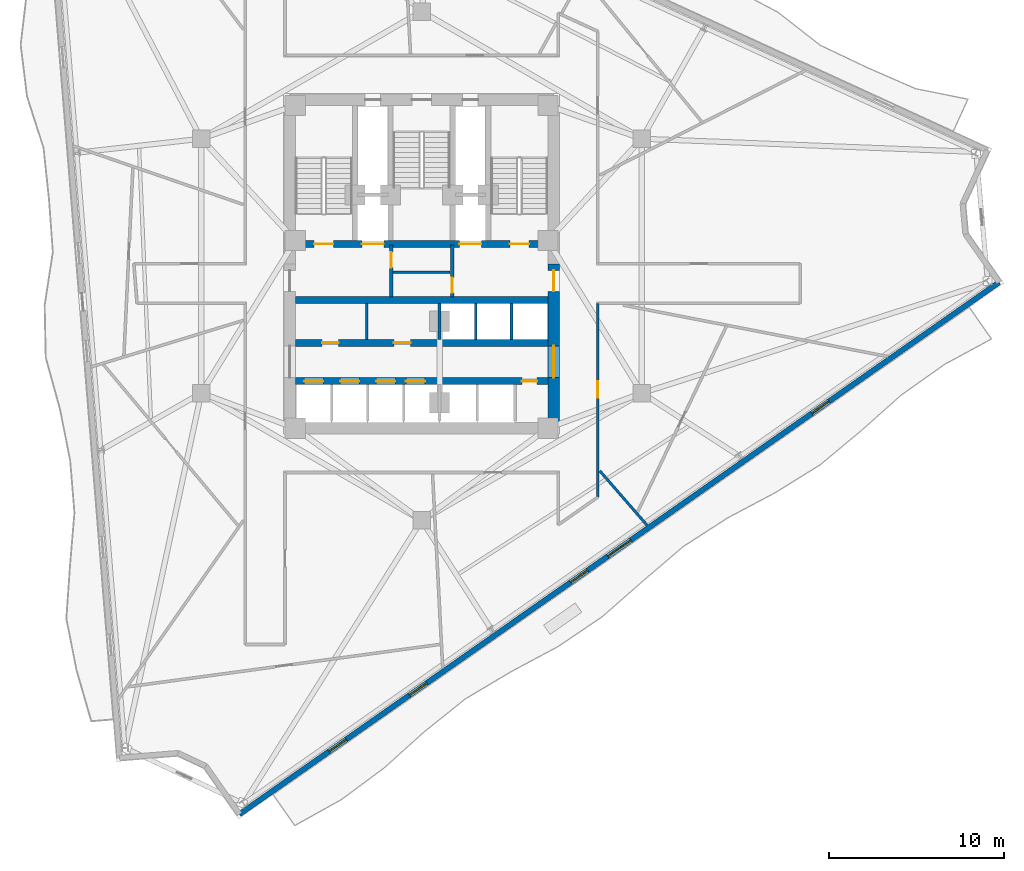
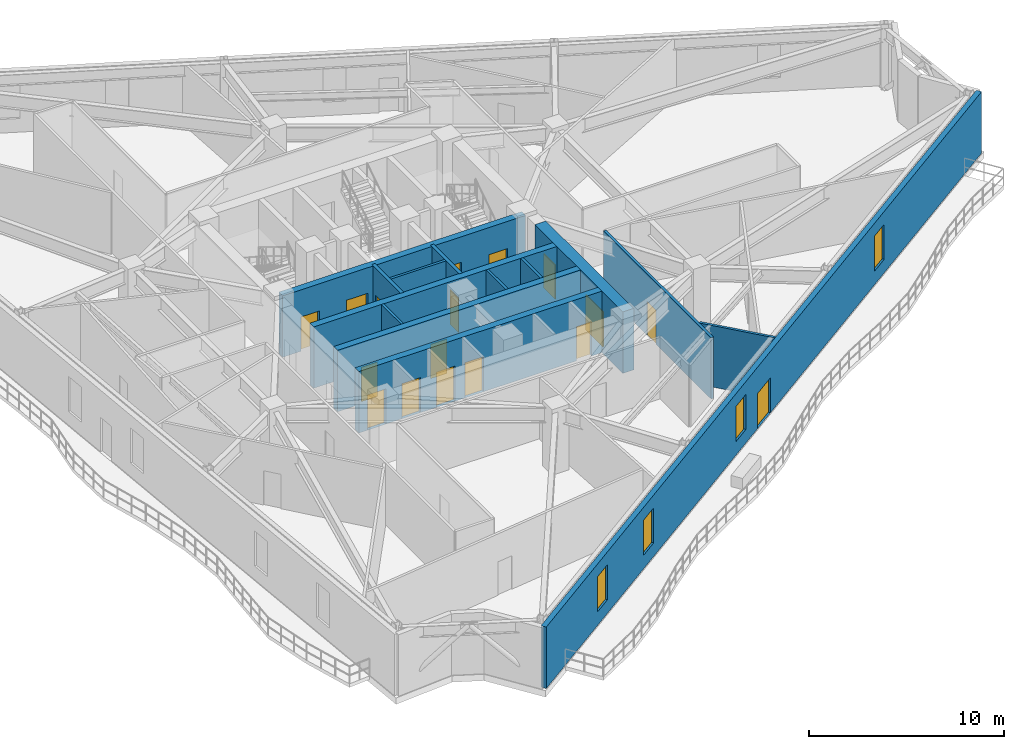
# One storey, part 8 of 14: 17 doors, 15 walls, 4 windows, 21 openings.
"""IFC4 building model written with IfcOpenShell, lengths in metres."""

import ifcopenshell
import ifcopenshell.guid

model = None  # the IFC model being written
_history = None  # IfcOwnerHistory: only IFC2X3 demands one
_inside = {}  # id of a spatial element -> (the spatial element, [elements in it])
_under = {}  # id of a project, library or spatial element -> (it, [spatial elements below it])
_declared = {}  # id of a project -> (the project, [libraries it declares])
_typed = {}  # id of a type object -> (the type object, [elements of that type])
_made_of = {}  # id of a material, layer set ... -> (it, [elements and type objects made of it])


def new_model(schema):
    """Start an empty IFC model of exactly this schema.

    Asked for "IFC4X3", IfcOpenShell would pick the latest addendum, in which some entities
    have other attributes; the version numbers below select the first issue.
    IFC2X3 requires an IfcOwnerHistory on every rooted entity: one is made here for all.
    """
    global model, _history
    if schema == "IFC4X3":
        model = ifcopenshell.file(schema_version=(4, 3, 0, 0))
    else:
        model = ifcopenshell.file(schema=schema)
    _inside.clear()
    _under.clear()
    _declared.clear()
    _typed.clear()
    _made_of.clear()
    _history = None
    if model.schema == "IFC2X3":
        org = make("IfcOrganization", Name="unknown")
        user = make(
            "IfcPersonAndOrganization",
            ThePerson=make("IfcPerson", FamilyName="unknown"),
            TheOrganization=org,
        )
        app = make(
            "IfcApplication",
            ApplicationDeveloper=org,
            Version="unknown",
            ApplicationFullName="unknown",
            ApplicationIdentifier="unknown",
        )
        _history = make(
            "IfcOwnerHistory",
            OwningUser=user,
            OwningApplication=app,
            ChangeAction="ADDED",
            CreationDate=0,
        )
    return model


def make(cls, **values):
    """One entity of the class cls with the attributes given. An attribute that is None is left unset."""
    return model.create_entity(
        cls, **{name: value for name, value in values.items() if value is not None}
    )


def rooted(cls, **values):
    """An entity with a GlobalId (a new one), such as an element, a storey or a relation."""
    return make(cls, GlobalId=ifcopenshell.guid.new(), OwnerHistory=_history, **values)


def si_unit(unit_type, name, prefix=None):
    """IfcSIUnit, for example si_unit("LENGTHUNIT", "METRE", prefix="MILLI")."""
    return make("IfcSIUnit", UnitType=unit_type, Prefix=prefix, Name=name)


def assignment(units):
    """IfcUnitAssignment: the units of a project."""
    return None if units is None else make("IfcUnitAssignment", Units=units)


def point(xyz):
    """IfcCartesianPoint."""
    return None if xyz is None else make("IfcCartesianPoint", Coordinates=xyz)


def direction(xyz):
    """IfcDirection."""
    return None if xyz is None else make("IfcDirection", DirectionRatios=xyz)


def frame(location, z_axis=None, x_axis=None):
    """IfcAxis2Placement3D, a coordinate frame: its origin and axes. An axis left out is left unset."""
    return make(
        "IfcAxis2Placement3D",
        Location=point(location),
        Axis=direction(z_axis),
        RefDirection=direction(x_axis),
    )


def frame_2d(location, x_axis=None):
    """IfcAxis2Placement2D, a coordinate frame in the plane: its origin and x axis."""
    return make(
        "IfcAxis2Placement2D", Location=point(location), RefDirection=direction(x_axis)
    )


def origin():
    """The frame at (0, 0, 0) with its axes left unset."""
    return frame((0.0, 0.0, 0.0))


def place(relative_to, where):
    """IfcLocalPlacement: puts the frame where relative to a parent placement (None: the world)."""
    return make(
        "IfcLocalPlacement", PlacementRelTo=relative_to, RelativePlacement=where
    )


def context(
    kind, dimensions, precision=None, world=None, true_north=None, identifier=None
):
    """IfcGeometricRepresentationContext, for example the 3D "Model" context."""
    return make(
        "IfcGeometricRepresentationContext",
        ContextIdentifier=identifier,
        ContextType=kind,
        CoordinateSpaceDimension=dimensions,
        Precision=precision,
        WorldCoordinateSystem=world,
        TrueNorth=true_north,
    )


def subcontext(parent, identifier, kind, view, scale=None):
    """IfcGeometricRepresentationSubContext, for example "Body" below "Model"."""
    return make(
        "IfcGeometricRepresentationSubContext",
        ContextIdentifier=identifier,
        ContextType=kind,
        ParentContext=parent,
        TargetScale=scale,
        TargetView=view,
    )


def project(units=None, contexts=None):
    """IfcProject with its units and contexts."""
    return rooted(
        "IfcProject",
        Name="project",
        RepresentationContexts=contexts,
        UnitsInContext=assignment(units),
    )


def spatial(cls, under=None, at=None, **own):
    """A site, building, storey or space (cls), placed at a placement, below another one or the project."""
    s = rooted(cls, ObjectPlacement=at, **own)
    if under is not None:
        _under.setdefault(under.id(), (under, []))[1].append(s)
    return s


def profile(cls, at=None, kind="AREA", **sizes):
    """A parametric profile (cls). Its sizes go by their IFC names, for example OverallWidth=200.0."""
    return make(cls, ProfileType=kind, Position=at, **sizes)


def rectangle(**sizes):
    """IfcRectangleProfileDef."""
    return profile("IfcRectangleProfileDef", **sizes)


def extrude(swept, where, along, depth):
    """IfcExtrudedAreaSolid: the profile swept, set in the frame where, extruded along a direction by depth."""
    return make(
        "IfcExtrudedAreaSolid",
        SweptArea=swept,
        Position=where,
        ExtrudedDirection=direction(along),
        Depth=depth,
    )


def shape(context_of_items, identifier, shape_type, items):
    """IfcShapeRepresentation: the items that make up one representation, for example the "Body"."""
    return make(
        "IfcShapeRepresentation",
        ContextOfItems=context_of_items,
        RepresentationIdentifier=identifier,
        RepresentationType=shape_type,
        Items=items,
    )


def material(Name=None, Category=None):
    """IfcMaterial."""
    return make("IfcMaterial", Name=Name, Category=Category)


def layer(
    of_material, thickness, ventilated=None, Name=None, Category=None, Priority=None
):
    """IfcMaterialLayer: one layer of a wall or slab, of a material (None: an air gap)."""
    return make(
        "IfcMaterialLayer",
        Material=of_material,
        LayerThickness=thickness,
        IsVentilated=ventilated,
        Name=Name,
        Category=Category,
        Priority=Priority,
    )


def layer_set(layers, Name=None):
    """IfcMaterialLayerSet."""
    return make("IfcMaterialLayerSet", MaterialLayers=layers, LayerSetName=Name)


def made_of(thing, what):
    """Note that an element or type object is made of a material, layer set ...; save() writes the relation."""
    if what is not None:
        _made_of.setdefault(what.id(), (what, []))[1].append(thing)
    return thing


def type_object(cls, material=None, **own):
    """A type object (cls), such as IfcWallType, which elements share."""
    return made_of(rooted(cls, **own), material)


def element(
    cls,
    number,
    at=None,
    inside=None,
    cuts=None,
    type_object=None,
    material=None,
    context=None,
    identifier="Body",
    shape_type=None,
    held_by="IfcProductDefinitionShape",
    body=None,
    shapes=None,
    **own,
):
    """One element of the class cls, such as IfcWall. Its Tag is "e" and its number.

    at: its placement. inside: the storey or other place that contains it. cuts: it is an
    opening in that element (IfcRelVoidsElement). A single representation is given by context,
    identifier, shape_type and body (its items); several are given by shapes. held_by: the class
    of the entity that holds the representations. save() writes the other relations.
    """
    e = rooted(cls, Tag="e%d" % number, ObjectPlacement=at, **own)
    if body is not None:
        shapes = [shape(context, identifier, shape_type, body)]
    if shapes is not None:
        e.Representation = make(held_by, Representations=shapes)
    if inside is not None:
        _inside.setdefault(inside.id(), (inside, []))[1].append(e)
    if cuts is not None:
        rooted(
            "IfcRelVoidsElement", RelatingBuildingElement=cuts, RelatedOpeningElement=e
        )
    if type_object is not None:
        _typed.setdefault(type_object.id(), (type_object, []))[1].append(e)
    return made_of(e, material)


def fill(opening, filler):
    """IfcRelFillsElement: the door or window that sits in an opening."""
    return rooted(
        "IfcRelFillsElement",
        RelatingOpeningElement=opening,
        RelatedBuildingElement=filler,
    )


def aggregate(whole, parts):
    """IfcRelAggregates: a whole, such as a stair, and the parts it consists of."""
    return rooted("IfcRelAggregates", RelatingObject=whole, RelatedObjects=parts)


def save(model, path):
    """Write the relations noted so far, then the file.

    IfcRelAggregates (storeys below a building ...), IfcRelContainedInSpatialStructure (elements
    in a storey), IfcRelDefinesByType, IfcRelAssociatesMaterial and IfcRelDeclares: one each for
    every whole, place, type object, material and project.
    """
    for whole, parts in _under.values():
        aggregate(whole, parts)
    for where, things in _inside.values():
        rooted(
            "IfcRelContainedInSpatialStructure",
            RelatedElements=things,
            RelatingStructure=where,
        )
    for kind, things in _typed.values():
        rooted("IfcRelDefinesByType", RelatedObjects=things, RelatingType=kind)
    for what, things in _made_of.values():
        rooted("IfcRelAssociatesMaterial", RelatedObjects=things, RelatingMaterial=what)
    for by, libraries in _declared.values():
        rooted("IfcRelDeclares", RelatingContext=by, RelatedDefinitions=libraries)
    model.write(path)


model = new_model("IFC4")

# Units and contexts
model_context = context("Model", 3, precision=1e-05, world=origin(), true_north=direction((0.0, 1.0)))
body_context = subcontext(model_context, "Body", "Model", "MODEL_VIEW")
ifc_project = project(units=[si_unit("LENGTHUNIT", "METRE"), si_unit("AREAUNIT", "SQUARE_METRE"), si_unit("VOLUMEUNIT", "CUBIC_METRE"), si_unit("PLANEANGLEUNIT", "RADIAN"), si_unit("MASSUNIT", "GRAM", prefix="KILO")], contexts=[model_context])

# Site, building, storey
site_placement = place(None, origin())
site = spatial("IfcSite", under=ifc_project, at=site_placement, CompositionType="ELEMENT")
building_placement = place(site_placement, origin())
building = spatial("IfcBuilding", under=site, at=building_placement, Name="Apsidion Concourse Tower", CompositionType="ELEMENT")
storey_placement = place(building_placement, frame((0.0, 0.0, 194.199951171875)))
storey = spatial("IfcBuildingStorey", under=building, at=storey_placement, Name="L45", CompositionType="ELEMENT", Elevation=194.199951171875)

# Wall, openings, door, windows
ifc_material_1 = material(Name="Precast concrete C40/50", Category="concrete")
ifc_layer_1 = layer(ifc_material_1, 0.300048828125)
ifc_layer_set_1 = layer_set([ifc_layer_1], Name="Precast concrete C40/50")
wall_type_1 = type_object("IfcWallType", Name="WL-EXT-300", PredefinedType="STANDARD", material=ifc_layer_set_1)
wall_1_placement = place(storey_placement, frame((32.91845703125, -0.930908203125, 0.0), z_axis=(0.0, 0.0, 1.0), x_axis=(-0.819151415939, -0.573577333727, 0.0)))
wall_1 = element("IfcWall", 1, at=wall_1_placement, inside=storey, type_object=wall_type_1, Name="L45 Precast Stone Facade Wall 05", PredefinedType="STANDARD", context=body_context, shape_type="SweptSolid", body=[
    extrude(rectangle(XDim=52.862548828125, YDim=0.300048828125, at=frame_2d((26.43115234375, 0.0))), origin(), (0.0, 0.0, 1.0), 3.85009765625),
])
opening_1_placement = place(wall_1_placement, frame((25.63134765625, 0.0, 0.0)))
opening_1 = element("IfcOpeningElement", 2, at=opening_1_placement, cuts=wall_1, Name="Opening D-T2D", PredefinedType="OPENING", context=body_context, shape_type="SweptSolid", body=[
    extrude(rectangle(XDim=1.60009765625, YDim=2.199951171875, at=frame_2d((0.800048828125, 1.10009765625))), frame((0.0, 0.16015625, 0.0), z_axis=(0.0, -1.0, 0.0), x_axis=(1.0, 0.0, 0.0)), (0.0, 0.0, 1.0), 0.320068359375),
])
opening_2_placement = place(wall_1_placement, frame((11.831298828125, 0.0, 0.85009765625)))
opening_2 = element("IfcOpeningElement", 3, at=opening_2_placement, cuts=wall_1, Name="Opening WN-06", PredefinedType="OPENING", context=body_context, shape_type="SweptSolid", body=[
    extrude(rectangle(XDim=1.199951171875, YDim=2.199951171875, at=frame_2d((0.60009765625, 1.10009765625))), frame((0.0, 0.16015625, 0.0), z_axis=(0.0, -1.0, 0.0), x_axis=(1.0, 0.0, 0.0)), (0.0, 0.0, 1.0), 0.320068359375),
])
opening_3_placement = place(wall_1_placement, frame((28.63134765625, 0.0, 0.85009765625)))
opening_3 = element("IfcOpeningElement", 4, at=opening_3_placement, cuts=wall_1, Name="Opening WN-06", PredefinedType="OPENING", context=body_context, shape_type="SweptSolid", body=[
    extrude(rectangle(XDim=1.199951171875, YDim=2.199951171875, at=frame_2d((0.60009765625, 1.10009765625))), frame((0.0, 0.16015625, 0.0), z_axis=(0.0, -1.0, 0.0), x_axis=(1.0, 0.0, 0.0)), (0.0, 0.0, 1.0), 0.320068359375),
])
opening_4_placement = place(wall_1_placement, frame((39.831298828125, 0.0, 0.85009765625)))
opening_4 = element("IfcOpeningElement", 5, at=opening_4_placement, cuts=wall_1, Name="Opening WN-06", PredefinedType="OPENING", context=body_context, shape_type="SweptSolid", body=[
    extrude(rectangle(XDim=1.199951171875, YDim=2.199951171875, at=frame_2d((0.60009765625, 1.10009765625))), frame((0.0, 0.16015625, 0.0), z_axis=(0.0, -1.0, 0.0), x_axis=(1.0, 0.0, 0.0)), (0.0, 0.0, 1.0), 0.320068359375),
])
opening_5_placement = place(wall_1_placement, frame((45.431396484375, 0.0, 0.85009765625)))
opening_5 = element("IfcOpeningElement", 6, at=opening_5_placement, cuts=wall_1, Name="Opening WN-06", PredefinedType="OPENING", context=body_context, shape_type="SweptSolid", body=[
    extrude(rectangle(XDim=1.199951171875, YDim=2.199951171875, at=frame_2d((0.60009765625, 1.10009765625))), frame((0.0, 0.16015625, 0.0), z_axis=(0.0, -1.0, 0.0), x_axis=(1.0, 0.0, 0.0)), (0.0, 0.0, 1.0), 0.320068359375),
])
ifc_material_2 = material(Name="Anodised aluminium EN AW-6063 T6", Category="aluminium")
door_type_1 = type_object("IfcDoorType", Name="DR-TER-1622D", OperationType="DOUBLE_DOOR_SINGLE_SWING", PredefinedType="DOOR", material=ifc_material_2)
door_1_placement = place(opening_1_placement, origin())
door_1 = element("IfcDoor", 7, at=door_1_placement, inside=storey, type_object=door_type_1, Name="L45 Spiral Sky-Terrace Access Door 2", OperationType="DOUBLE_DOOR_SINGLE_SWING", OverallHeight=2.199951171875, OverallWidth=1.60009765625, PredefinedType="DOOR", context=body_context, shape_type="SweptSolid", body=[
    extrude(rectangle(XDim=1.60009765625, YDim=2.199951171875, at=frame_2d((0.800048828125, 1.10009765625))), frame((0.0, 0.02490234375, 0.0), z_axis=(0.0, -1.0, 0.0), x_axis=(1.0, 0.0, 0.0)), (0.0, 0.0, 1.0), 0.050048828125),
])
fill(opening_1, door_1)
ifc_material_3 = material(Name="Insulated laminated low-E glass", Category="glass")
window_type = type_object("IfcWindowType", Name="WN-OFF-1224", PartitioningType="SINGLE_PANEL", PredefinedType="WINDOW", material=ifc_material_3)
window_1_placement = place(opening_2_placement, origin())
window_1 = element("IfcWindow", 8, at=window_1_placement, inside=storey, type_object=window_type, Name="L45 Punched Facade Window 5-02", OverallHeight=2.199951171875, OverallWidth=1.199951171875, PartitioningType="SINGLE_PANEL", PredefinedType="WINDOW", context=body_context, shape_type="SweptSolid", body=[
    extrude(rectangle(XDim=1.199951171875, YDim=2.199951171875, at=frame_2d((0.60009765625, 1.10009765625))), frame((0.0, 0.030029296875, 0.0), z_axis=(0.0, -1.0, 0.0), x_axis=(1.0, 0.0, 0.0)), (0.0, 0.0, 1.0), 0.06005859375),
])
fill(opening_2, window_1)
window_2_placement = place(opening_3_placement, origin())
window_2 = element("IfcWindow", 9, at=window_2_placement, inside=storey, type_object=window_type, Name="L45 Punched Facade Window 5-05", OverallHeight=2.199951171875, OverallWidth=1.199951171875, PartitioningType="SINGLE_PANEL", PredefinedType="WINDOW", context=body_context, shape_type="SweptSolid", body=[
    extrude(rectangle(XDim=1.199951171875, YDim=2.199951171875, at=frame_2d((0.60009765625, 1.10009765625))), frame((0.0, 0.030029296875, 0.0), z_axis=(0.0, -1.0, 0.0), x_axis=(1.0, 0.0, 0.0)), (0.0, 0.0, 1.0), 0.06005859375),
])
fill(opening_3, window_2)
window_3_placement = place(opening_4_placement, origin())
window_3 = element("IfcWindow", 10, at=window_3_placement, inside=storey, type_object=window_type, Name="L45 Punched Facade Window 5-07", OverallHeight=2.199951171875, OverallWidth=1.199951171875, PartitioningType="SINGLE_PANEL", PredefinedType="WINDOW", context=body_context, shape_type="SweptSolid", body=[
    extrude(rectangle(XDim=1.199951171875, YDim=2.199951171875, at=frame_2d((0.60009765625, 1.10009765625))), frame((0.0, 0.030029296875, 0.0), z_axis=(0.0, -1.0, 0.0), x_axis=(1.0, 0.0, 0.0)), (0.0, 0.0, 1.0), 0.06005859375),
])
fill(opening_4, window_3)
window_4_placement = place(opening_5_placement, origin())
window_4 = element("IfcWindow", 11, at=window_4_placement, inside=storey, type_object=window_type, Name="L45 Punched Facade Window 5-08", OverallHeight=2.199951171875, OverallWidth=1.199951171875, PartitioningType="SINGLE_PANEL", PredefinedType="WINDOW", context=body_context, shape_type="SweptSolid", body=[
    extrude(rectangle(XDim=1.199951171875, YDim=2.199951171875, at=frame_2d((0.60009765625, 1.10009765625))), frame((0.0, 0.030029296875, 0.0), z_axis=(0.0, -1.0, 0.0), x_axis=(1.0, 0.0, 0.0)), (0.0, 0.0, 1.0), 0.06005859375),
])
fill(opening_5, window_4)

# Walls
ifc_material_4 = material(Name="Gypsum plasterboard partition")
ifc_layer_2 = layer(ifc_material_4, 0.14990234375)
ifc_layer_set_2 = layer_set([ifc_layer_2], Name="Gypsum plasterboard partition")
wall_type_2 = type_object("IfcWallType", Name="WL-INT-PAR-150", PredefinedType="PARTITIONING", material=ifc_layer_set_2)
for number, where, z_axis, x_axis, name in (
    (12, (-3.1201171875, -4.179931640625, 0.0), (0.0, 0.0, 1.0), (0.0, 1.0, 0.0), "L45 Interior Partition WL-L45-B1RV1"),
    (13, (3.074951171875, -4.179931640625, 0.0), (0.0, 0.0, 1.0), (0.0, 1.0, 0.0), "L45 Interior Partition WL-L45-B3DIV-1"),
    (14, (5.125, -4.179931640625, 0.0), (0.0, 0.0, 1.0), (0.0, 1.0, 0.0), "L45 Interior Partition WL-L45-B3DIV-2"),
):
    element("IfcWall", number, at=place(storey_placement, frame(where, z_axis=z_axis, x_axis=x_axis)), inside=storey, type_object=wall_type_2, Name=name, PredefinedType="PARTITIONING", context=body_context, shape_type="SweptSolid", body=[
        extrude(rectangle(XDim=2.030029296875, YDim=0.14990234375, at=frame_2d((1.01513671875, 0.0))), origin(), (0.0, 0.0, 1.0), 3.85009765625),
    ])
wall_2_placement = place(storey_placement, frame((-1.6298828125, -0.35009765625, 0.0), z_axis=(0.0, 0.0, 1.0), x_axis=(1.0, 0.0, 0.0)))
element("IfcWall", 15, at=wall_2_placement, inside=storey, type_object=wall_type_2, Name="L45 Interior Partition WL-L45-K2H", PredefinedType="PARTITIONING", context=body_context, shape_type="SweptSolid", body=[
    extrude(rectangle(XDim=3.259765625, YDim=0.14990234375, at=frame_2d((1.6298828125, 0.0))), origin(), (0.0, 0.0, 1.0), 3.85009765625),
])

# Wall, opening, door
wall_3_placement = place(storey_placement, frame((10.050048828125, -2.1298828125, 0.0), z_axis=(0.0, 0.0, 1.0), x_axis=(0.0, -1.0, 0.0)))
wall_3 = element("IfcWall", 16, at=wall_3_placement, inside=storey, type_object=wall_type_2, Name="L45 Interior Partition WL-L45-CORR-20", PredefinedType="PARTITIONING", context=body_context, shape_type="SweptSolid", body=[
    extrude(rectangle(XDim=11.047607421875, YDim=0.14990234375, at=frame_2d((5.52392578125, 0.0))), origin(), (0.0, 0.0, 1.0), 3.85009765625),
])
opening_6_placement = place(wall_3_placement, frame((4.442138671875, 0.0, 0.0)))
opening_6 = element("IfcOpeningElement", 17, at=opening_6_placement, cuts=wall_3, Name="Opening D-01R", PredefinedType="OPENING", context=body_context, shape_type="SweptSolid", body=[
    extrude(rectangle(XDim=0.949951171875, YDim=2.14990234375, at=frame_2d((0.47509765625, 1.074951171875))), frame((0.0, 0.0849609375, 0.0), z_axis=(0.0, -1.0, 0.0), x_axis=(1.0, 0.0, 0.0)), (0.0, 0.0, 1.0), 0.169921875),
])
ifc_material_5 = material(Name="Brushed stainless steel 316", Category="steel")
door_type_2 = type_object("IfcDoorType", Name="DR-INT-D01R", OperationType="SINGLE_SWING_RIGHT", PredefinedType="DOOR", material=ifc_material_5)
door_2_placement = place(opening_6_placement, origin())
door_2 = element("IfcDoor", 18, at=door_2_placement, inside=storey, type_object=door_type_2, Name="L45 Corridor Entry Door 04", OperationType="SINGLE_SWING_RIGHT", OverallHeight=2.14990234375, OverallWidth=0.949951171875, PredefinedType="DOOR", context=body_context, shape_type="SweptSolid", body=[
    extrude(rectangle(XDim=0.949951171875, YDim=2.14990234375, at=frame_2d((0.47509765625, 1.074951171875))), frame((0.0, 0.02490234375, 0.0), z_axis=(0.0, -1.0, 0.0), x_axis=(1.0, 0.0, 0.0)), (0.0, 0.0, 1.0), 0.050048828125),
])
fill(opening_6, door_2)

# Walls
wall_4_placement = place(storey_placement, frame((10.155029296875, -11.681884765625, 0.0), z_axis=(0.0, 0.0, 1.0), x_axis=(0.656047730609, -0.754719401608, 0.0)))
element("IfcWall", 19, at=wall_4_placement, inside=storey, type_object=wall_type_2, Name="L45 Interior Partition WL-L45-RAD-09-1", PredefinedType="PARTITIONING", context=body_context, shape_type="SweptSolid", body=[
    extrude(rectangle(XDim=4.107177734375, YDim=0.14990234375, at=frame_2d((2.0537109375, 0.0))), origin(), (0.0, 0.0, 1.0), 3.85009765625),
])
ifc_layer_3 = layer(ifc_material_4, 0.179931640625)
ifc_layer_set_3 = layer_set([ifc_layer_3], Name="Gypsum plasterboard partition")
wall_type_3 = type_object("IfcWallType", Name="WL-INT-PAR-180", PredefinedType="PARTITIONING", material=ifc_layer_set_3)
wall_5_placement = place(storey_placement, frame((1.02490234375, -4.179931640625, 0.0), z_axis=(0.0, 0.0, 1.0), x_axis=(0.0, 1.0, 0.0)))
element("IfcWall", 20, at=wall_5_placement, inside=storey, type_object=wall_type_3, Name="L45 Interior Partition WL-L45-B1END", PredefinedType="PARTITIONING", context=body_context, shape_type="SweptSolid", body=[
    extrude(rectangle(XDim=2.030029296875, YDim=0.179931640625, at=frame_2d((1.01513671875, 0.0))), origin(), (0.0, 0.0, 1.0), 2.89794921875),
])

# Wall, opening, door
ifc_layer_4 = layer(ifc_material_4, 0.199951171875)
ifc_layer_set_4 = layer_set([ifc_layer_4], Name="Gypsum plasterboard partition")
wall_type_4 = type_object("IfcWallType", Name="WL-INT-PAR-200", PredefinedType="PARTITIONING", material=ifc_layer_set_4)
wall_6_placement = place(storey_placement, frame((-1.739990234375, -1.780029296875, 0.0), z_axis=(0.0, 0.0, 1.0), x_axis=(0.0, 1.0, 0.0)))
wall_6 = element("IfcWall", 21, at=wall_6_placement, inside=storey, type_object=wall_type_4, Name="L45 Interior Partition WL-L45-FF1-E", PredefinedType="PARTITIONING", context=body_context, shape_type="SweptSolid", body=[
    extrude(rectangle(XDim=2.97998046875, YDim=0.199951171875, at=frame_2d((1.489990234375, 0.0))), origin(), (0.0, 0.0, 1.0), 3.85009765625),
])
opening_7_placement = place(wall_6_placement, frame((1.68994140625, 0.0, 0.0)))
opening_7 = element("IfcOpeningElement", 22, at=opening_7_placement, cuts=wall_6, Name="Opening D-05L", PredefinedType="OPENING", context=body_context, shape_type="SweptSolid", body=[
    extrude(rectangle(XDim=0.8798828125, YDim=2.14990234375, at=frame_2d((0.43994140625, 1.074951171875))), frame((0.0, 0.10986328125, 0.0), z_axis=(0.0, -1.0, 0.0), x_axis=(1.0, 0.0, 0.0)), (0.0, 0.0, 1.0), 0.219970703125),
])
door_type_3 = type_object("IfcDoorType", Name="DR-INT-D05L", OperationType="SINGLE_SWING_LEFT", PredefinedType="DOOR", material=ifc_material_5)
door_3_placement = place(opening_7_placement, origin())
door_3 = element("IfcDoor", 23, at=door_3_placement, inside=storey, type_object=door_type_3, Name="L45 Core Staff WC Door", OperationType="SINGLE_SWING_LEFT", OverallHeight=2.14990234375, OverallWidth=0.8798828125, PredefinedType="DOOR", context=body_context, shape_type="SweptSolid", body=[
    extrude(rectangle(XDim=0.8798828125, YDim=2.14990234375, at=frame_2d((0.43994140625, 1.074951171875))), frame((0.0, 0.02490234375, 0.0), z_axis=(0.0, -1.0, 0.0), x_axis=(1.0, 0.0, 0.0)), (0.0, 0.0, 1.0), 0.050048828125),
])
fill(opening_7, door_3)

wall_7_placement = place(storey_placement, frame((1.739990234375, -1.780029296875, 0.0), z_axis=(0.0, 0.0, 1.0), x_axis=(0.0, 1.0, 0.0)))
wall_7 = element("IfcWall", 24, at=wall_7_placement, inside=storey, type_object=wall_type_4, Name="L45 Interior Partition WL-L45-FF2-W", PredefinedType="PARTITIONING", context=body_context, shape_type="SweptSolid", body=[
    extrude(rectangle(XDim=2.97998046875, YDim=0.199951171875, at=frame_2d((1.489990234375, 0.0))), origin(), (0.0, 0.0, 1.0), 3.85009765625),
])
opening_8_placement = place(wall_7_placement, frame((0.239990234375, 0.0, 0.0)))
opening_8 = element("IfcOpeningElement", 25, at=opening_8_placement, cuts=wall_7, Name="Opening D-05R", PredefinedType="OPENING", context=body_context, shape_type="SweptSolid", body=[
    extrude(rectangle(XDim=0.8798828125, YDim=2.14990234375, at=frame_2d((0.43994140625, 1.074951171875))), frame((0.0, 0.10986328125, 0.0), z_axis=(0.0, -1.0, 0.0), x_axis=(1.0, 0.0, 0.0)), (0.0, 0.0, 1.0), 0.219970703125),
])
door_type_4 = type_object("IfcDoorType", Name="DR-INT-D05R", OperationType="SINGLE_SWING_RIGHT", PredefinedType="DOOR", material=ifc_material_5)
door_4_placement = place(opening_8_placement, origin())
door_4 = element("IfcDoor", 26, at=door_4_placement, inside=storey, type_object=door_type_4, Name="L45 Core Supply Store Door", OperationType="SINGLE_SWING_RIGHT", OverallHeight=2.14990234375, OverallWidth=0.8798828125, PredefinedType="DOOR", context=body_context, shape_type="SweptSolid", body=[
    extrude(rectangle(XDim=0.8798828125, YDim=2.14990234375, at=frame_2d((0.43994140625, 1.074951171875))), frame((0.0, 0.02490234375, 0.0), z_axis=(0.0, -1.0, 0.0), x_axis=(1.0, 0.0, 0.0)), (0.0, 0.0, 1.0), 0.050048828125),
])
fill(opening_8, door_4)

# Wall, openings, doors
ifc_material_6 = material(Name="Concrete C50/60", Category="concrete")
ifc_layer_5 = layer(ifc_material_6, 0.39990234375)
ifc_layer_set_5 = layer_set([ifc_layer_5], Name="Concrete C50/60")
wall_type_5 = type_object("IfcWallType", Name="WL-SH-400", PredefinedType="SHEAR", material=ifc_layer_set_5)
wall_8_placement = place(storey_placement, frame((-7.199951171875, 1.25, 0.0), z_axis=(0.0, 0.0, 1.0), x_axis=(1.0, 0.0, 0.0)))
wall_8 = element("IfcWall", 27, at=wall_8_placement, inside=storey, type_object=wall_type_5, Name="L45 Central Core Shear Wall M1", PredefinedType="SHEAR", context=body_context, shape_type="SweptSolid", body=[
    extrude(rectangle(XDim=14.39990234375, YDim=0.39990234375, at=frame_2d((7.199951171875, 0.0))), origin(), (0.0, 0.0, 1.0), 3.85009765625),
])
opening_9_placement = place(wall_8_placement, frame((3.794921875, 0.0, 0.0)))
opening_9 = element("IfcOpeningElement", 28, at=opening_9_placement, cuts=wall_8, Name="Opening LD-FF", PredefinedType="OPENING", context=body_context, shape_type="SweptSolid", body=[
    extrude(rectangle(XDim=1.25, YDim=2.25, at=frame_2d((0.625, 1.125))), frame((0.0, 0.2099609375, 0.0), z_axis=(0.0, -1.0, 0.0), x_axis=(1.0, 0.0, 0.0)), (0.0, 0.0, 1.0), 0.419921875),
])
opening_10_placement = place(wall_8_placement, frame((9.35498046875, 0.0, 0.0)))
opening_10 = element("IfcOpeningElement", 29, at=opening_10_placement, cuts=wall_8, Name="Opening LD-FF", PredefinedType="OPENING", context=body_context, shape_type="SweptSolid", body=[
    extrude(rectangle(XDim=1.25, YDim=2.25, at=frame_2d((0.625, 1.125))), frame((0.0, 0.2099609375, 0.0), z_axis=(0.0, -1.0, 0.0), x_axis=(1.0, 0.0, 0.0)), (0.0, 0.0, 1.0), 0.419921875),
])
opening_11_placement = place(wall_8_placement, frame((1.074951171875, 0.0, 0.0)))
opening_11 = element("IfcOpeningElement", 30, at=opening_11_placement, cuts=wall_8, Name="Opening D-STL", PredefinedType="OPENING", context=body_context, shape_type="SweptSolid", body=[
    extrude(rectangle(XDim=1.10009765625, YDim=2.14990234375, at=frame_2d((0.550048828125, 1.074951171875))), frame((0.0, 0.2099609375, 0.0), z_axis=(0.0, -1.0, 0.0), x_axis=(1.0, 0.0, 0.0)), (0.0, 0.0, 1.0), 0.419921875),
])
opening_12_placement = place(wall_8_placement, frame((12.22509765625, 0.0, 0.0)))
opening_12 = element("IfcOpeningElement", 31, at=opening_12_placement, cuts=wall_8, Name="Opening D-STR", PredefinedType="OPENING", context=body_context, shape_type="SweptSolid", body=[
    extrude(rectangle(XDim=1.10009765625, YDim=2.14990234375, at=frame_2d((0.550048828125, 1.074951171875))), frame((0.0, 0.2099609375, 0.0), z_axis=(0.0, -1.0, 0.0), x_axis=(1.0, 0.0, 0.0)), (0.0, 0.0, 1.0), 0.419921875),
])
door_type_5 = type_object("IfcDoorType", Name="DR-INT-ST1L", OperationType="SINGLE_SWING_LEFT", PredefinedType="DOOR", material=ifc_material_5)
door_5_placement = place(opening_11_placement, origin())
door_5 = element("IfcDoor", 32, at=door_5_placement, inside=storey, type_object=door_type_5, Name="L45 Core Exit Stair ST1 Door", OperationType="SINGLE_SWING_LEFT", OverallHeight=2.14990234375, OverallWidth=1.10009765625, PredefinedType="DOOR", context=body_context, shape_type="SweptSolid", body=[
    extrude(rectangle(XDim=1.10009765625, YDim=2.14990234375, at=frame_2d((0.550048828125, 1.074951171875))), frame((0.0, 0.02490234375, 0.0), z_axis=(0.0, -1.0, 0.0), x_axis=(1.0, 0.0, 0.0)), (0.0, 0.0, 1.0), 0.050048828125),
])
fill(opening_11, door_5)
door_type_6 = type_object("IfcDoorType", Name="DR-INT-ST1R", OperationType="SINGLE_SWING_RIGHT", PredefinedType="DOOR", material=ifc_material_5)
door_6_placement = place(opening_12_placement, origin())
door_6 = element("IfcDoor", 33, at=door_6_placement, inside=storey, type_object=door_type_6, Name="L45 Core Exit Stair ST2 Door", OperationType="SINGLE_SWING_RIGHT", OverallHeight=2.14990234375, OverallWidth=1.10009765625, PredefinedType="DOOR", context=body_context, shape_type="SweptSolid", body=[
    extrude(rectangle(XDim=1.10009765625, YDim=2.14990234375, at=frame_2d((0.550048828125, 1.074951171875))), frame((0.0, 0.02490234375, 0.0), z_axis=(0.0, -1.0, 0.0), x_axis=(1.0, 0.0, 0.0)), (0.0, 0.0, 1.0), 0.050048828125),
])
fill(opening_12, door_6)
door_type_7 = type_object("IfcDoorType", Name="DR-LD-FSAE", OperationType="DOUBLE_DOOR_SLIDING", PredefinedType="DOOR", material=ifc_material_5)
door_7_placement = place(opening_9_placement, origin())
door_7 = element("IfcDoor", 34, at=door_7_placement, inside=storey, type_object=door_type_7, Name="L45 Lift Landing Door FF1", OperationType="DOUBLE_DOOR_SLIDING", OverallHeight=2.25, OverallWidth=1.25, PredefinedType="DOOR", context=body_context, shape_type="SweptSolid", body=[
    extrude(rectangle(XDim=1.25, YDim=2.25, at=frame_2d((0.625, 1.125))), frame((0.0, 0.02490234375, 0.0), z_axis=(0.0, -1.0, 0.0), x_axis=(1.0, 0.0, 0.0)), (0.0, 0.0, 1.0), 0.050048828125),
])
fill(opening_9, door_7)
door_8_placement = place(opening_10_placement, origin())
door_8 = element("IfcDoor", 35, at=door_8_placement, inside=storey, type_object=door_type_7, Name="L45 Lift Landing Door FF2", OperationType="DOUBLE_DOOR_SLIDING", OverallHeight=2.25, OverallWidth=1.25, PredefinedType="DOOR", context=body_context, shape_type="SweptSolid", body=[
    extrude(rectangle(XDim=1.25, YDim=2.25, at=frame_2d((0.625, 1.125))), frame((0.0, 0.02490234375, 0.0), z_axis=(0.0, -1.0, 0.0), x_axis=(1.0, 0.0, 0.0)), (0.0, 0.0, 1.0), 0.050048828125),
])
fill(opening_10, door_8)

# Wall
wall_9_placement = place(storey_placement, frame((-7.199951171875, -1.949951171875, 0.0), z_axis=(0.0, 0.0, 1.0), x_axis=(1.0, 0.0, 0.0)))
element("IfcWall", 36, at=wall_9_placement, inside=storey, type_object=wall_type_5, Name="L45 Central Core Shear Wall M2", PredefinedType="SHEAR", context=body_context, shape_type="SweptSolid", body=[
    extrude(rectangle(XDim=14.39990234375, YDim=0.39990234375, at=frame_2d((7.199951171875, 0.0))), origin(), (0.0, 0.0, 1.0), 3.85009765625),
])

# Wall, openings, doors
wall_10_placement = place(storey_placement, frame((-7.199951171875, -4.3798828125, 0.0), z_axis=(0.0, 0.0, 1.0), x_axis=(1.0, 0.0, 0.0)))
wall_10 = element("IfcWall", 37, at=wall_10_placement, inside=storey, type_object=wall_type_5, Name="L45 Central Core Shear Wall LA", PredefinedType="SHEAR", context=body_context, shape_type="SweptSolid", body=[
    extrude(rectangle(XDim=14.39990234375, YDim=0.39990234375, at=frame_2d((7.199951171875, 0.0))), origin(), (0.0, 0.0, 1.0), 3.85009765625),
])
opening_13_placement = place(wall_10_placement, frame((1.52490234375, 0.0, 0.0)))
opening_13 = element("IfcOpeningElement", 38, at=opening_13_placement, cuts=wall_10, Name="Opening D-04L", PredefinedType="OPENING", context=body_context, shape_type="SweptSolid", body=[
    extrude(rectangle(XDim=0.949951171875, YDim=2.14990234375, at=frame_2d((0.47509765625, 1.074951171875))), frame((0.0, 0.2099609375, 0.0), z_axis=(0.0, -1.0, 0.0), x_axis=(1.0, 0.0, 0.0)), (0.0, 0.0, 1.0), 0.419921875),
])
opening_14_placement = place(wall_10_placement, frame((5.625, 0.0, 0.0)))
opening_14 = element("IfcOpeningElement", 39, at=opening_14_placement, cuts=wall_10, Name="Opening D-04R", PredefinedType="OPENING", context=body_context, shape_type="SweptSolid", body=[
    extrude(rectangle(XDim=0.949951171875, YDim=2.14990234375, at=frame_2d((0.47509765625, 1.074951171875))), frame((0.0, 0.2099609375, 0.0), z_axis=(0.0, -1.0, 0.0), x_axis=(1.0, 0.0, 0.0)), (0.0, 0.0, 1.0), 0.419921875),
])
door_type_8 = type_object("IfcDoorType", Name="DR-INT-D04L", OperationType="SINGLE_SWING_LEFT", PredefinedType="DOOR", material=ifc_material_5)
door_9_placement = place(opening_13_placement, origin())
door_9 = element("IfcDoor", 40, at=door_9_placement, inside=storey, type_object=door_type_8, Name="L45 Tenant Archive Room West Door", OperationType="SINGLE_SWING_LEFT", OverallHeight=2.14990234375, OverallWidth=0.949951171875, PredefinedType="DOOR", context=body_context, shape_type="SweptSolid", body=[
    extrude(rectangle(XDim=0.949951171875, YDim=2.14990234375, at=frame_2d((0.47509765625, 1.074951171875))), frame((0.0, 0.02490234375, 0.0), z_axis=(0.0, -1.0, 0.0), x_axis=(1.0, 0.0, 0.0)), (0.0, 0.0, 1.0), 0.050048828125),
])
fill(opening_13, door_9)
door_type_9 = type_object("IfcDoorType", Name="DR-INT-D04R", OperationType="SINGLE_SWING_RIGHT", PredefinedType="DOOR", material=ifc_material_5)
door_10_placement = place(opening_14_placement, origin())
door_10 = element("IfcDoor", 41, at=door_10_placement, inside=storey, type_object=door_type_9, Name="L45 Core Print and Copy Room Door", OperationType="SINGLE_SWING_RIGHT", OverallHeight=2.14990234375, OverallWidth=0.949951171875, PredefinedType="DOOR", context=body_context, shape_type="SweptSolid", body=[
    extrude(rectangle(XDim=0.949951171875, YDim=2.14990234375, at=frame_2d((0.47509765625, 1.074951171875))), frame((0.0, 0.02490234375, 0.0), z_axis=(0.0, -1.0, 0.0), x_axis=(1.0, 0.0, 0.0)), (0.0, 0.0, 1.0), 0.050048828125),
])
fill(opening_14, door_10)

wall_11_placement = place(storey_placement, frame((-7.199951171875, -6.570068359375, 0.0), z_axis=(0.0, 0.0, 1.0), x_axis=(1.0, 0.0, 0.0)))
wall_11 = element("IfcWall", 42, at=wall_11_placement, inside=storey, type_object=wall_type_5, Name="L45 Central Core Shear Wall LB", PredefinedType="SHEAR", context=body_context, shape_type="SweptSolid", body=[
    extrude(rectangle(XDim=14.39990234375, YDim=0.39990234375, at=frame_2d((7.199951171875, 0.0))), origin(), (0.0, 0.0, 1.0), 3.85009765625),
])
opening_15_placement = place(wall_11_placement, frame((0.5, 0.0, 0.0)))
opening_15 = element("IfcOpeningElement", 43, at=opening_15_placement, cuts=wall_11, Name="Opening LD-P1", PredefinedType="OPENING", context=body_context, shape_type="SweptSolid", body=[
    extrude(rectangle(XDim=1.10009765625, YDim=2.199951171875, at=frame_2d((0.550048828125, 1.10009765625))), frame((0.0, 0.2099609375, 0.0), z_axis=(0.0, -1.0, 0.0), x_axis=(1.0, 0.0, 0.0)), (0.0, 0.0, 1.0), 0.419921875),
])
opening_16_placement = place(wall_11_placement, frame((2.550048828125, 0.0, 0.0)))
opening_16 = element("IfcOpeningElement", 44, at=opening_16_placement, cuts=wall_11, Name="Opening LD-P1", PredefinedType="OPENING", context=body_context, shape_type="SweptSolid", body=[
    extrude(rectangle(XDim=1.10009765625, YDim=2.199951171875, at=frame_2d((0.550048828125, 1.10009765625))), frame((0.0, 0.2099609375, 0.0), z_axis=(0.0, -1.0, 0.0), x_axis=(1.0, 0.0, 0.0)), (0.0, 0.0, 1.0), 0.419921875),
])
opening_17_placement = place(wall_11_placement, frame((4.60009765625, 0.0, 0.0)))
opening_17 = element("IfcOpeningElement", 45, at=opening_17_placement, cuts=wall_11, Name="Opening LD-P1", PredefinedType="OPENING", context=body_context, shape_type="SweptSolid", body=[
    extrude(rectangle(XDim=1.10009765625, YDim=2.199951171875, at=frame_2d((0.550048828125, 1.10009765625))), frame((0.0, 0.2099609375, 0.0), z_axis=(0.0, -1.0, 0.0), x_axis=(1.0, 0.0, 0.0)), (0.0, 0.0, 1.0), 0.419921875),
])
opening_18_placement = place(wall_11_placement, frame((6.300048828125, 0.0, 0.0)))
opening_18 = element("IfcOpeningElement", 46, at=opening_18_placement, cuts=wall_11, Name="Opening LD-P1", PredefinedType="OPENING", context=body_context, shape_type="SweptSolid", body=[
    extrude(rectangle(XDim=1.10009765625, YDim=2.199951171875, at=frame_2d((0.550048828125, 1.10009765625))), frame((0.0, 0.2099609375, 0.0), z_axis=(0.0, -1.0, 0.0), x_axis=(1.0, 0.0, 0.0)), (0.0, 0.0, 1.0), 0.419921875),
])
opening_19_placement = place(wall_11_placement, frame((12.909912109375, 0.0, 0.0)))
opening_19 = element("IfcOpeningElement", 47, at=opening_19_placement, cuts=wall_11, Name="Opening D-05L", PredefinedType="OPENING", context=body_context, shape_type="SweptSolid", body=[
    extrude(rectangle(XDim=0.8798828125, YDim=2.14990234375, at=frame_2d((0.43994140625, 1.074951171875))), frame((0.0, 0.2099609375, 0.0), z_axis=(0.0, -1.0, 0.0), x_axis=(1.0, 0.0, 0.0)), (0.0, 0.0, 1.0), 0.419921875),
])
door_11_placement = place(opening_19_placement, origin())
door_11 = element("IfcDoor", 48, at=door_11_placement, inside=storey, type_object=door_type_3, Name="L45 Cleaners Store Door", OperationType="SINGLE_SWING_LEFT", OverallHeight=2.14990234375, OverallWidth=0.8798828125, PredefinedType="DOOR", context=body_context, shape_type="SweptSolid", body=[
    extrude(rectangle(XDim=0.8798828125, YDim=2.14990234375, at=frame_2d((0.43994140625, 1.074951171875))), frame((0.0, 0.02490234375, 0.0), z_axis=(0.0, -1.0, 0.0), x_axis=(1.0, 0.0, 0.0)), (0.0, 0.0, 1.0), 0.050048828125),
])
fill(opening_19, door_11)
door_type_10 = type_object("IfcDoorType", Name="DR-LD-PASS", OperationType="DOUBLE_DOOR_SLIDING", PredefinedType="DOOR", material=ifc_material_5)
door_12_placement = place(opening_15_placement, origin())
door_12 = element("IfcDoor", 49, at=door_12_placement, inside=storey, type_object=door_type_10, Name="L45 Lift Landing Door P5", OperationType="DOUBLE_DOOR_SLIDING", OverallHeight=2.199951171875, OverallWidth=1.10009765625, PredefinedType="DOOR", context=body_context, shape_type="SweptSolid", body=[
    extrude(rectangle(XDim=1.10009765625, YDim=2.199951171875, at=frame_2d((0.550048828125, 1.10009765625))), frame((0.0, 0.02490234375, 0.0), z_axis=(0.0, -1.0, 0.0), x_axis=(1.0, 0.0, 0.0)), (0.0, 0.0, 1.0), 0.050048828125),
])
fill(opening_15, door_12)
door_13_placement = place(opening_16_placement, origin())
door_13 = element("IfcDoor", 50, at=door_13_placement, inside=storey, type_object=door_type_10, Name="L45 Lift Landing Door P6", OperationType="DOUBLE_DOOR_SLIDING", OverallHeight=2.199951171875, OverallWidth=1.10009765625, PredefinedType="DOOR", context=body_context, shape_type="SweptSolid", body=[
    extrude(rectangle(XDim=1.10009765625, YDim=2.199951171875, at=frame_2d((0.550048828125, 1.10009765625))), frame((0.0, 0.02490234375, 0.0), z_axis=(0.0, -1.0, 0.0), x_axis=(1.0, 0.0, 0.0)), (0.0, 0.0, 1.0), 0.050048828125),
])
fill(opening_16, door_13)
door_14_placement = place(opening_17_placement, origin())
door_14 = element("IfcDoor", 51, at=door_14_placement, inside=storey, type_object=door_type_10, Name="L45 Lift Landing Door P7", OperationType="DOUBLE_DOOR_SLIDING", OverallHeight=2.199951171875, OverallWidth=1.10009765625, PredefinedType="DOOR", context=body_context, shape_type="SweptSolid", body=[
    extrude(rectangle(XDim=1.10009765625, YDim=2.199951171875, at=frame_2d((0.550048828125, 1.10009765625))), frame((0.0, 0.02490234375, 0.0), z_axis=(0.0, -1.0, 0.0), x_axis=(1.0, 0.0, 0.0)), (0.0, 0.0, 1.0), 0.050048828125),
])
fill(opening_17, door_14)
door_15_placement = place(opening_18_placement, origin())
door_15 = element("IfcDoor", 52, at=door_15_placement, inside=storey, type_object=door_type_10, Name="L45 Lift Landing Door P8", OperationType="DOUBLE_DOOR_SLIDING", OverallHeight=2.199951171875, OverallWidth=1.10009765625, PredefinedType="DOOR", context=body_context, shape_type="SweptSolid", body=[
    extrude(rectangle(XDim=1.10009765625, YDim=2.199951171875, at=frame_2d((0.550048828125, 1.10009765625))), frame((0.0, 0.02490234375, 0.0), z_axis=(0.0, -1.0, 0.0), x_axis=(1.0, 0.0, 0.0)), (0.0, 0.0, 1.0), 0.050048828125),
])
fill(opening_18, door_15)

ifc_layer_6 = layer(ifc_material_6, 0.64990234375)
ifc_layer_set_6 = layer_set([ifc_layer_6], Name="Concrete C50/60")
wall_type_6 = type_object("IfcWallType", Name="WL-SH-650", PredefinedType="SHEAR", material=ifc_layer_set_6)
wall_12_placement = place(storey_placement, frame((7.52490234375, -8.925048828125, 0.0), z_axis=(0.0, 0.0, 1.0), x_axis=(0.0, 1.0, 0.0)))
wall_12 = element("IfcWall", 53, at=wall_12_placement, inside=storey, type_object=wall_type_6, Name="L45 Central Core Shear Wall ES", PredefinedType="SHEAR", context=body_context, shape_type="SweptSolid", body=[
    extrude(rectangle(XDim=9.025146484375, YDim=0.64990234375, at=frame_2d((4.5126953125, 0.0))), origin(), (0.0, 0.0, 1.0), 3.85009765625),
])
opening_20_placement = place(wall_12_placement, frame((2.56494140625, 0.0, 0.0)))
opening_20 = element("IfcOpeningElement", 54, at=opening_20_placement, cuts=wall_12, Name="Opening D-06D", PredefinedType="OPENING", context=body_context, shape_type="SweptSolid", body=[
    extrude(rectangle(XDim=1.800048828125, YDim=2.199951171875, at=frame_2d((0.89990234375, 1.10009765625))), frame((0.0, 0.3349609375, 0.0), z_axis=(0.0, -1.0, 0.0), x_axis=(1.0, 0.0, 0.0)), (0.0, 0.0, 1.0), 0.669921875),
])
opening_21_placement = place(wall_12_placement, frame((7.47509765625, 0.0, 0.0)))
opening_21 = element("IfcOpeningElement", 55, at=opening_21_placement, cuts=wall_12, Name="Opening D-FFR", PredefinedType="OPENING", context=body_context, shape_type="SweptSolid", body=[
    extrude(rectangle(XDim=1.199951171875, YDim=2.14990234375, at=frame_2d((0.60009765625, 1.074951171875))), frame((0.0, 0.3349609375, 0.0), z_axis=(0.0, -1.0, 0.0), x_axis=(1.0, 0.0, 0.0)), (0.0, 0.0, 1.0), 0.669921875),
])
door_type_11 = type_object("IfcDoorType", Name="DR-INT-D06D", OperationType="DOUBLE_DOOR_SINGLE_SWING", PredefinedType="DOOR", material=ifc_material_5)
door_16_placement = place(opening_20_placement, origin())
door_16 = element("IfcDoor", 56, at=door_16_placement, inside=storey, type_object=door_type_11, Name="L45 Passenger Lift Lobby ES Portal Door", OperationType="DOUBLE_DOOR_SINGLE_SWING", OverallHeight=2.199951171875, OverallWidth=1.800048828125, PredefinedType="DOOR", context=body_context, shape_type="SweptSolid", body=[
    extrude(rectangle(XDim=1.800048828125, YDim=2.199951171875, at=frame_2d((0.89990234375, 1.10009765625))), frame((0.0, 0.02490234375, 0.0), z_axis=(0.0, -1.0, 0.0), x_axis=(1.0, 0.0, 0.0)), (0.0, 0.0, 1.0), 0.050048828125),
])
fill(opening_20, door_16)
door_type_12 = type_object("IfcDoorType", Name="DR-INT-FFR", OperationType="SINGLE_SWING_RIGHT", PredefinedType="DOOR", material=ifc_material_5)
door_17_placement = place(opening_21_placement, origin())
door_17 = element("IfcDoor", 57, at=door_17_placement, inside=storey, type_object=door_type_12, Name="L45 Firefighting Lift Lobby FF2 Door", OperationType="SINGLE_SWING_RIGHT", OverallHeight=2.14990234375, OverallWidth=1.199951171875, PredefinedType="DOOR", context=body_context, shape_type="SweptSolid", body=[
    extrude(rectangle(XDim=1.199951171875, YDim=2.14990234375, at=frame_2d((0.60009765625, 1.074951171875))), frame((0.0, 0.02490234375, 0.0), z_axis=(0.0, -1.0, 0.0), x_axis=(1.0, 0.0, 0.0)), (0.0, 0.0, 1.0), 0.050048828125),
])
fill(opening_21, door_17)

save(model, "model.ifc")
